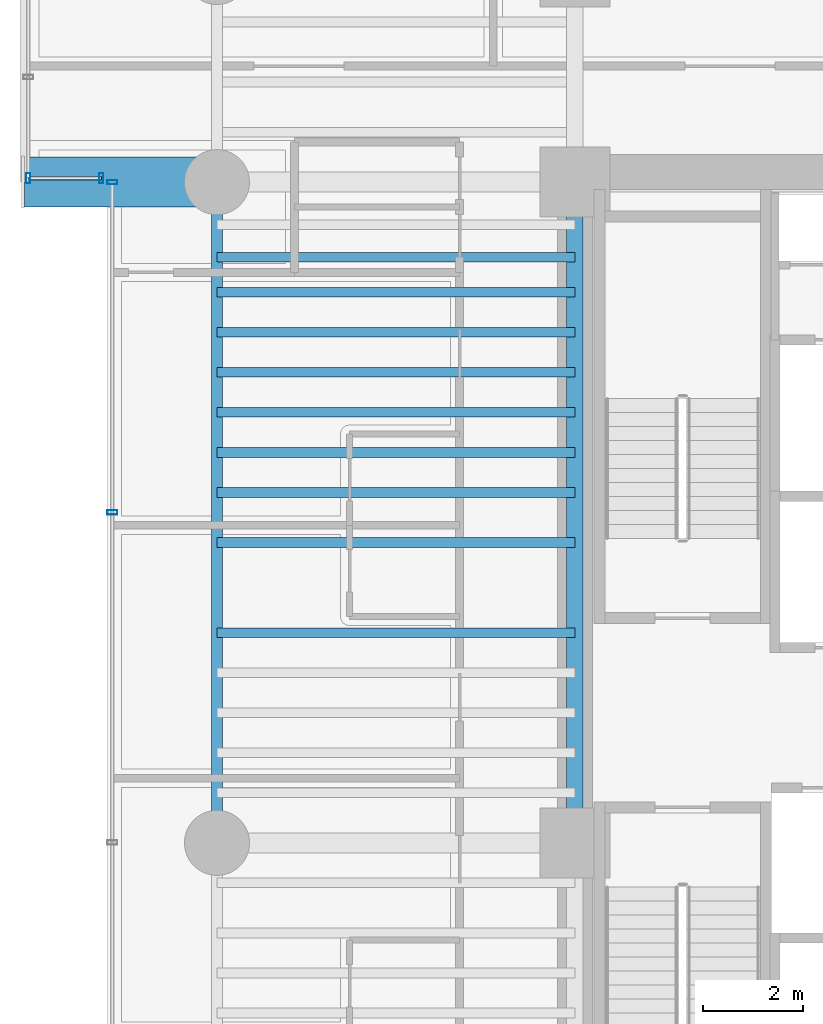
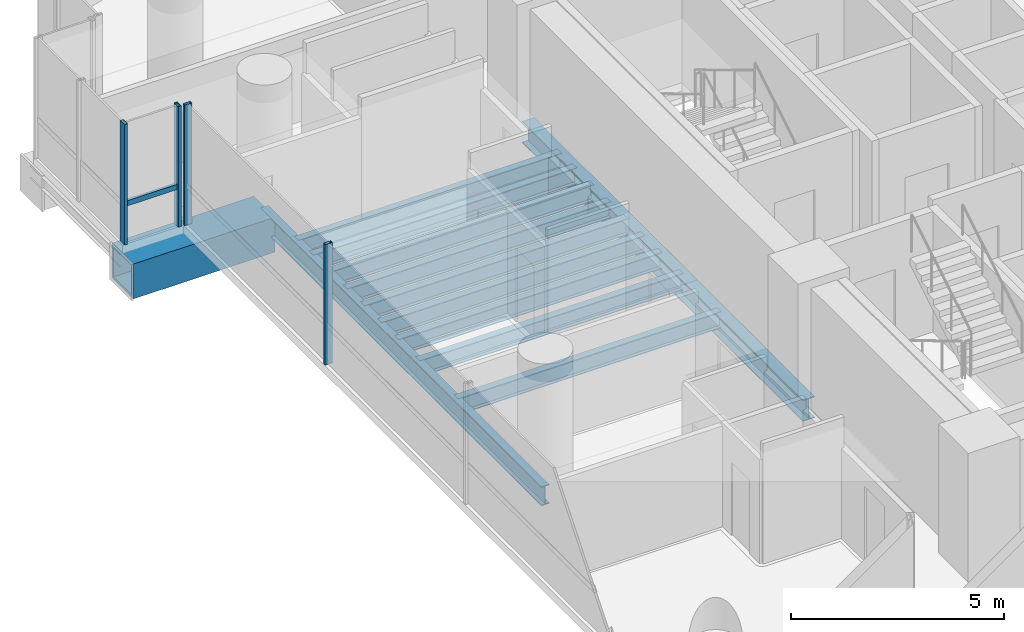
# One storey, part 10 of 40: 12 beams, 5 members, 2 elements without a shape of their own.
"""IFC4 building model written with IfcOpenShell, lengths in metres."""

from ifc_helpers import new_model, si_unit, direction, frame, origin, origin_2d, place, context, subcontext, project, spatial, hollow_rectangle, i_section, extrude, source, transform, mapped, material, material_profile, profile_set, type_object, element, aggregate, save


model = new_model("IFC4")

# Units and contexts
model_context = context("Model", 3, precision=1e-05, world=origin(), true_north=direction((0.0, 1.0)))
body_context = subcontext(model_context, "Body", "Model", "MODEL_VIEW")
ifc_project = project(units=[si_unit("LENGTHUNIT", "METRE"), si_unit("AREAUNIT", "SQUARE_METRE"), si_unit("VOLUMEUNIT", "CUBIC_METRE"), si_unit("PLANEANGLEUNIT", "RADIAN"), si_unit("MASSUNIT", "GRAM", prefix="KILO")], contexts=[model_context])

# Site, building, storey
site_placement = place(None, origin())
site = spatial("IfcSite", under=ifc_project, at=site_placement, CompositionType="ELEMENT")
building_placement = place(site_placement, origin())
building = spatial("IfcBuilding", under=site, at=building_placement, Name="Valdorenza Pilgrim Sanctuary Tower", CompositionType="ELEMENT")
storey_placement = place(building_placement, frame((0.0, 0.0, 81.5)))
storey = spatial("IfcBuildingStorey", under=building, at=storey_placement, Name="L20", CompositionType="ELEMENT", Elevation=81.5)

# Beams
ifc_material_1 = material(Name="Steel ASTM A992 Grade 50", Category="steel")
ifc_material_profile_1 = material_profile(ifc_material_1, i_section(OverallWidth=0.214111328125, OverallDepth=0.549072265625, WebThickness=0.0146484375, FlangeThickness=0.023681640625, at=origin_2d()), Name="W21X93")
ifc_profile_set_1 = profile_set([ifc_material_profile_1], Name="Steel ASTM A992 Grade 50")
beam_type_1 = type_object("IfcBeamType", Name="STR-BM-SPN-W21A", PredefinedType="SPANDREL", material=ifc_profile_set_1)
shared_shape_1 = source(origin(), body_context, "Body", "SweptSolid", [
    extrude(i_section(OverallWidth=0.214111328125, OverallDepth=0.549072265625, WebThickness=0.0146484375, FlangeThickness=0.023681640625, at=origin_2d()), origin(), (0.0, 0.0, 1.0), 13.2001953125),
])
beam_1_placement = place(storey_placement, frame((-29.800048828125, -2.60009765625, -0.514404296875), z_axis=(0.0, 1.0, 0.0), x_axis=(-1.0, 0.0, 0.0)))
element("IfcBeam", 1, at=beam_1_placement, inside=storey, type_object=beam_type_1, Name="L20 Spandrel Beam WA-W-M0N1", PredefinedType="SPANDREL", context=body_context, shape_type="MappedRepresentation", body=[
    mapped(shared_shape_1, transform((0.0, 0.0, 0.0), x_axis=(1.0, 0.0, 0.0), y_axis=(0.0, 1.0, 0.0), z_axis=(0.0, 0.0, 1.0), scale=1.0)),
])
ifc_material_profile_2 = material_profile(ifc_material_1, i_section(OverallWidth=0.323974609375, OverallDepth=0.611083984375, WebThickness=0.0126953125, FlangeThickness=0.01904296875, at=origin_2d()), Name="W24X104")
ifc_profile_set_2 = profile_set([ifc_material_profile_2], Name="Steel ASTM A992 Grade 50")
beam_type_2 = type_object("IfcBeamType", Name="STR-BM-GRD-W24B", PredefinedType="BEAM", material=ifc_profile_set_2)
shared_shape_2 = source(origin(), body_context, "Body", "SweptSolid", [
    extrude(i_section(OverallWidth=0.323974609375, OverallDepth=0.611083984375, WebThickness=0.0126953125, FlangeThickness=0.01904296875, at=origin_2d()), origin(), (0.0, 0.0, 1.0), 13.2001953125),
])
beam_2_placement = place(storey_placement, frame((-22.64990234375, -2.60009765625, -0.54541015625), z_axis=(0.0, 1.0, 0.0), x_axis=(-1.0, 0.0, 0.0)))
element("IfcBeam", 2, at=beam_2_placement, inside=storey, type_object=beam_type_2, Name="L20 Core Tie Girder CA-W-M0N1", PredefinedType="BEAM", context=body_context, shape_type="MappedRepresentation", body=[
    mapped(shared_shape_2, transform((0.0, 0.0, 0.0), x_axis=(1.0, 0.0, 0.0), y_axis=(0.0, 1.0, 0.0), z_axis=(0.0, 0.0, 1.0), scale=1.0)),
])
ifc_material_profile_3 = material_profile(ifc_material_1, i_section(OverallWidth=0.193115234375, OverallDepth=0.466064453125, WebThickness=0.011474609375, FlangeThickness=0.01904296875, at=origin_2d()), Name="W18X65")
ifc_profile_set_3 = profile_set([ifc_material_profile_3], Name="Steel ASTM A992 Grade 50")
beam_type_3 = type_object("IfcBeamType", Name="STR-BM-JST-W18A", PredefinedType="JOIST", material=ifc_profile_set_3)
shared_shape_3 = source(origin(), body_context, "Body", "SweptSolid", [
    extrude(i_section(OverallWidth=0.193115234375, OverallDepth=0.466064453125, WebThickness=0.011474609375, FlangeThickness=0.01904296875, at=origin_2d()), origin(), (0.0, 0.0, 1.0), 7.150146484375),
])
for number, where, z_axis, x_axis, name in (
    (3, (-29.800048828125, 1.60009765625, -0.472900390625), (1.0, 0.0, 0.0), (0.0, 1.0, 0.0), "L20 Composite Floor Joist JST-WA-14"),
    (4, (-29.800048828125, 3.39990234375, -0.472900390625), (1.0, 0.0, 0.0), (0.0, 1.0, 0.0), "L20 Composite Floor Joist JST-WA-15"),
    (5, (-29.800048828125, 4.39990234375, -0.472900390625), (1.0, 0.0, 0.0), (0.0, 1.0, 0.0), "L20 Composite Floor Joist JST-WA-16"),
    (6, (-29.800048828125, 5.199951171875, -0.472900390625), (1.0, 0.0, 0.0), (0.0, 1.0, 0.0), "L20 Composite Floor Joist JST-WA-17"),
    (7, (-29.800048828125, 6.0, -0.472900390625), (1.0, 0.0, 0.0), (0.0, 1.0, 0.0), "L20 Composite Floor Joist JST-WA-18"),
    (8, (-29.800048828125, 6.800048828125, -0.472900390625), (1.0, 0.0, 0.0), (0.0, 1.0, 0.0), "L20 Composite Floor Joist JST-WA-19"),
    (9, (-29.800048828125, 7.60009765625, -0.472900390625), (1.0, 0.0, 0.0), (0.0, 1.0, 0.0), "L20 Composite Floor Joist JST-WA-20"),
    (10, (-29.800048828125, 8.39990234375, -0.472900390625), (1.0, 0.0, 0.0), (0.0, 1.0, 0.0), "L20 Composite Floor Joist JST-WA-21"),
    (11, (-29.800048828125, 9.10009765625, -0.472900390625), (1.0, 0.0, 0.0), (0.0, 1.0, 0.0), "L20 Composite Floor Joist JST-WA-22"),
):
    element("IfcBeam", number, at=place(storey_placement, frame(where, z_axis=z_axis, x_axis=x_axis)), inside=storey, type_object=beam_type_3, Name=name, PredefinedType="JOIST", context=body_context, shape_type="MappedRepresentation", body=[
        mapped(shared_shape_3, transform((0.0, 0.0, 0.0), x_axis=(1.0, 0.0, 0.0), y_axis=(0.0, 1.0, 0.0), z_axis=(0.0, 0.0, 1.0), scale=1.0)),
    ])
ifc_material_2 = material(Name="Steel ASTM A572 Grade 42", Category="steel")
ifc_material_profile_4 = material_profile(ifc_material_2, hollow_rectangle(XDim=1.0, YDim=1.0, WallThickness=0.080078125, at=origin_2d()), Name="BOX 1000x1000x80")
ifc_profile_set_4 = profile_set([ifc_material_profile_4], Name="Steel ASTM A572 Grade 42")
beam_type_4 = type_object("IfcBeamType", Name="STR-BM-PROW-CANT", PredefinedType="BEAM", material=ifc_profile_set_4)
shared_shape_4 = source(origin(), body_context, "Body", "SweptSolid", [
    extrude(hollow_rectangle(XDim=1.0, YDim=1.0, WallThickness=0.080078125, at=origin_2d()), origin(), (0.0, 0.0, 1.0), 3.849853515625),
])
beam_3_placement = place(storey_placement, frame((-29.800048828125, 10.60009765625, -0.739990234375), z_axis=(-1.0, 0.0, 0.0), x_axis=(0.0, -1.0, 0.0)))
element("IfcBeam", 12, at=beam_3_placement, inside=storey, type_object=beam_type_4, Name="L20 Glass Box Cantilever Beam BOX-WA-L20-CT-S", PredefinedType="BEAM", context=body_context, shape_type="MappedRepresentation", body=[
    mapped(shared_shape_4, transform((0.0, 0.0, 0.0), x_axis=(1.0, 0.0, 0.0), y_axis=(0.0, 1.0, 0.0), z_axis=(0.0, 0.0, 1.0), scale=1.0)),
])

# Curtain wall, members
ifc_material_3 = material(Name="Curtain-wall IGU glazing", Category="glass")
curtain_wall_type = type_object("IfcCurtainWallType", Name="CW-SYS-02", PredefinedType="NOTDEFINED", material=ifc_material_3)
curtain_wall_1_placement = place(storey_placement, origin())
curtain_wall_1 = element("IfcCurtainWall", 13, at=curtain_wall_1_placement, inside=storey, type_object=curtain_wall_type, Name="L20 Curtain Wall CW-L20-1-1S1", PredefinedType="NOTDEFINED")
ifc_material_4 = material(Name="Anodised aluminium AW-6060", Category="aluminium")
ifc_material_profile_5 = material_profile(ifc_material_4, hollow_rectangle(XDim=0.0849609375, YDim=0.199951171875, WallThickness=0.0048828125, at=origin_2d()), Name="ALU-M 200x85x5")
ifc_profile_set_5 = profile_set([ifc_material_profile_5], Name="Anodised aluminium AW-6060")
member_type_1 = type_object("IfcMemberType", Name="CW-MUL-02", PredefinedType="MULLION", material=ifc_profile_set_5)
shared_shape_5 = source(origin(), body_context, "Body", "SweptSolid", [
    extrude(hollow_rectangle(XDim=0.0849609375, YDim=0.199951171875, WallThickness=0.0048828125, at=origin_2d()), origin(), (0.0, 0.0, 1.0), 3.4599609375),
])
member_1_placement = place(storey_placement, frame((-31.889892578125, 4.002685546875, 0.0), z_axis=(0.0, 0.0, 1.0), x_axis=(0.0, 1.0, 0.0)))
member_1 = element("IfcMember", 14, at=member_1_placement, type_object=member_type_1, Name="CW-L20-1-1S1 Mullion 4", PredefinedType="MULLION", context=body_context, shape_type="MappedRepresentation", body=[
    mapped(shared_shape_5, transform((0.0, 0.0, 0.0), x_axis=(1.0, 0.0, 0.0), y_axis=(0.0, 1.0, 0.0), z_axis=(0.0, 0.0, 1.0), scale=1.0)),
])
member_2_placement = place(storey_placement, frame((-31.889892578125, 10.60009765625, 0.0), z_axis=(0.0, 0.0, 1.0), x_axis=(0.0, 1.0, 0.0)))
member_2 = element("IfcMember", 15, at=member_2_placement, type_object=member_type_1, Name="CW-L20-1-1S1 Mullion 5", PredefinedType="MULLION", context=body_context, shape_type="MappedRepresentation", body=[
    mapped(shared_shape_5, transform((0.0, 0.0, 0.0), x_axis=(1.0, 0.0, 0.0), y_axis=(0.0, 1.0, 0.0), z_axis=(0.0, 0.0, 1.0), scale=1.0)),
])
aggregate(curtain_wall_1, [member_1, member_2])

curtain_wall_2_placement = place(storey_placement, origin())
curtain_wall_2 = element("IfcCurtainWall", 16, at=curtain_wall_2_placement, inside=storey, type_object=curtain_wall_type, Name="L20 Curtain Wall CW-L20-BOX-WA-L20-S", PredefinedType="NOTDEFINED")
member_3_placement = place(storey_placement, frame((-32.110107421875, 10.679931640625, 0.0), z_axis=(0.0, 0.0, 1.0), x_axis=(-1.0, 0.0, 0.0)))
member_3 = element("IfcMember", 17, at=member_3_placement, type_object=member_type_1, Name="CW-L20-BOX-WA-L20-S Mullion 1", PredefinedType="MULLION", context=body_context, shape_type="MappedRepresentation", body=[
    mapped(shared_shape_5, transform((0.0, 0.0, 0.0), x_axis=(1.0, 0.0, 0.0), y_axis=(0.0, 1.0, 0.0), z_axis=(0.0, 0.0, 1.0), scale=1.0)),
])
member_4_placement = place(storey_placement, frame((-33.570068359375, 10.679931640625, 0.0), z_axis=(0.0, 0.0, 1.0), x_axis=(-1.0, 0.0, 0.0)))
member_4 = element("IfcMember", 18, at=member_4_placement, type_object=member_type_1, Name="CW-L20-BOX-WA-L20-S Mullion 2", PredefinedType="MULLION", context=body_context, shape_type="MappedRepresentation", body=[
    mapped(shared_shape_5, transform((0.0, 0.0, 0.0), x_axis=(1.0, 0.0, 0.0), y_axis=(0.0, 1.0, 0.0), z_axis=(0.0, 0.0, 1.0), scale=1.0)),
])
ifc_material_profile_6 = material_profile(ifc_material_4, hollow_rectangle(XDim=0.074951171875, YDim=0.14990234375, WallThickness=0.00390625, at=origin_2d()), Name="ALU-T 150x75x4")
ifc_profile_set_6 = profile_set([ifc_material_profile_6], Name="Anodised aluminium AW-6060")
member_type_2 = type_object("IfcMemberType", Name="CW-TRN-02", PredefinedType="USERDEFINED", material=ifc_profile_set_6)
shared_shape_6 = source(origin(), body_context, "Body", "SweptSolid", [
    extrude(hollow_rectangle(XDim=0.074951171875, YDim=0.14990234375, WallThickness=0.00390625, at=origin_2d()), origin(), (0.0, 0.0, 1.0), 1.4599609375),
])
member_5_placement = place(storey_placement, frame((-32.110107421875, 10.679931640625, 1.1201171875), z_axis=(-1.0, 0.0, 0.0), x_axis=(0.0, -1.0, 0.0)))
member_5 = element("IfcMember", 19, at=member_5_placement, type_object=member_type_2, Name="CW-L20-BOX-WA-L20-S Transom 1", ObjectType="TRANSOM", PredefinedType="USERDEFINED", context=body_context, shape_type="MappedRepresentation", body=[
    mapped(shared_shape_6, transform((0.0, 0.0, 0.0), x_axis=(1.0, 0.0, 0.0), y_axis=(0.0, 1.0, 0.0), z_axis=(0.0, 0.0, 1.0), scale=1.0)),
])
aggregate(curtain_wall_2, [member_3, member_4, member_5])

save(model, "model.ifc")
